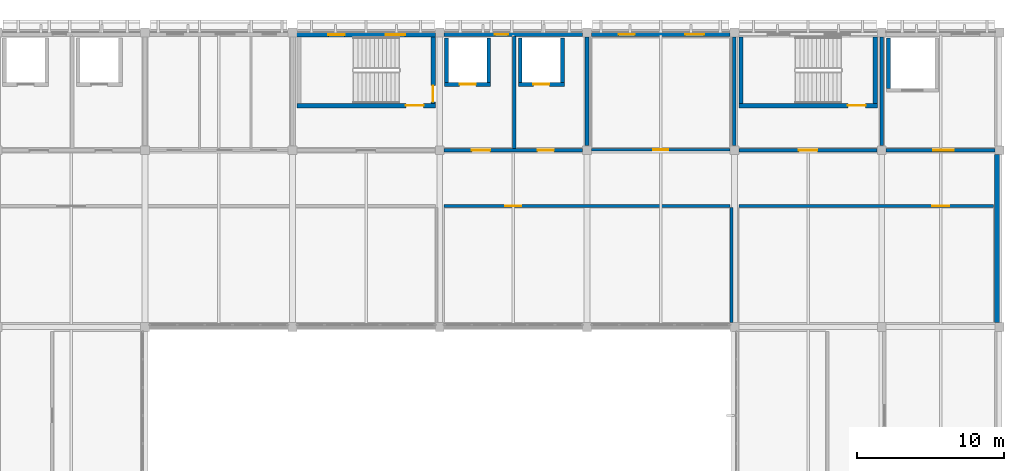
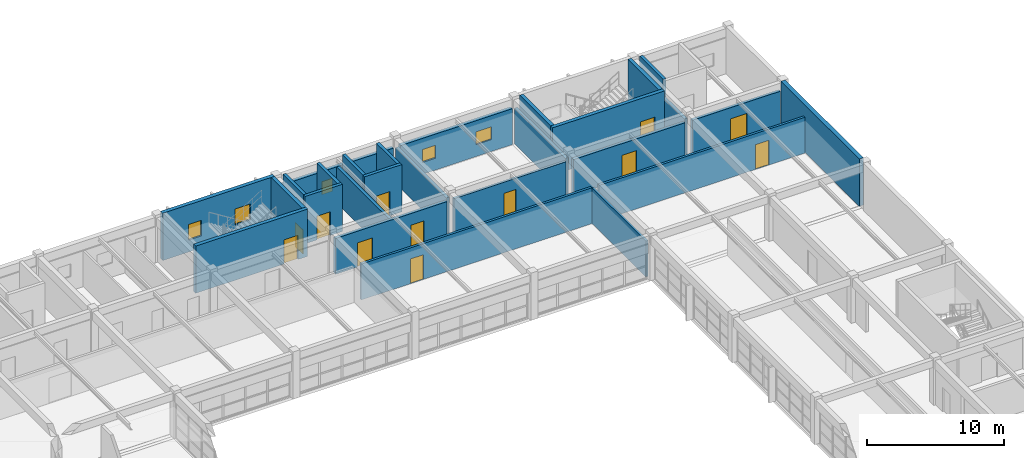
# One storey, part 22 of 28: 27 walls, 12 doors, 5 windows, 17 openings.
"""IFC4 building model written with IfcOpenShell, lengths in metres."""

from ifc_helpers import new_model, si_unit, direction, frame, frame_2d, origin, place, context, subcontext, project, spatial, rectangle, extrude, material, layer, layer_set, type_object, element, fill, save


model = new_model("IFC4")

# Units and contexts
model_context = context("Model", 3, precision=1e-05, world=origin(), true_north=direction((0.0, 1.0)))
body_context = subcontext(model_context, "Body", "Model", "MODEL_VIEW")
ifc_project = project(units=[si_unit("LENGTHUNIT", "METRE"), si_unit("AREAUNIT", "SQUARE_METRE"), si_unit("VOLUMEUNIT", "CUBIC_METRE"), si_unit("PLANEANGLEUNIT", "RADIAN"), si_unit("MASSUNIT", "GRAM", prefix="KILO")], contexts=[model_context])

# Site, building, storey
site_placement = place(None, origin())
site = spatial("IfcSite", under=ifc_project, at=site_placement, CompositionType="ELEMENT")
building_placement = place(site_placement, origin())
building = spatial("IfcBuilding", under=site, at=building_placement, Name="Kivolera Central Railway Station", CompositionType="ELEMENT")
storey_placement = place(building_placement, frame((0.0, 0.0, 18.60009765625)))
storey = spatial("IfcBuildingStorey", under=building, at=storey_placement, Name="L04", CompositionType="ELEMENT", Elevation=18.60009765625)

# Wall, opening, door
ifc_material_1 = material(Name="Swahili coral limestone", Category="masonry")
ifc_layer_1 = layer(ifc_material_1, 0.199951171875, Name="Swahili coral limestone")
ifc_layer_set_1 = layer_set([ifc_layer_1], Name="Swahili coral limestone")
wall_type_1 = type_object("IfcWallType", Name="WL-COR-200", PredefinedType="PARTITIONING", material=ifc_layer_set_1)
wall_1_placement = place(storey_placement, frame((168.300048828125, 126.030029296875, 0.0), z_axis=(0.0, 0.0, 1.0), x_axis=(1.0, 0.0, 0.0)))
wall_1 = element("IfcWall", 1, at=wall_1_placement, inside=storey, type_object=wall_type_1, Name="L04 Emergency Incident Command Office Corridor Wall", PredefinedType="PARTITIONING", context=body_context, shape_type="SweptSolid", body=[
    extrude(rectangle(XDim=9.39990234375, YDim=0.199951171875, at=frame_2d((4.699951171875, 0.0))), origin(), (0.0, 0.0, 1.0), 3.18798828125),
])
opening_1_placement = place(wall_1_placement, frame((4.199951171875, 0.0, 0.0)))
opening_1 = element("IfcOpeningElement", 2, at=opening_1_placement, cuts=wall_1, Name="Opening D-SG-09", PredefinedType="OPENING", context=body_context, shape_type="SweptSolid", body=[
    extrude(rectangle(XDim=1.0, YDim=2.199951171875, at=frame_2d((0.5, 1.10009765625))), frame((0.0, 0.10986328125, 0.0), z_axis=(0.0, -1.0, 0.0), x_axis=(1.0, 0.0, 0.0)), (0.0, 0.0, 1.0), 0.219970703125),
])
ifc_material_2 = material(Name="Hardwood mvule timber", Category="wood")
door_type_1 = type_object("IfcDoorType", Name="DR-D-SG-09", OperationType="NOTDEFINED", PredefinedType="DOOR", material=ifc_material_2)
door_1_placement = place(opening_1_placement, origin())
door_1 = element("IfcDoor", 3, at=door_1_placement, inside=storey, type_object=door_type_1, Name="L04 Emergency Incident Command Office Door", OperationType="SINGLE_SWING_RIGHT", OverallHeight=2.199951171875, OverallWidth=1.0, PredefinedType="DOOR", context=body_context, shape_type="SweptSolid", body=[
    extrude(rectangle(XDim=1.0, YDim=2.199951171875, at=frame_2d((0.5, 1.10009765625))), frame((0.0, 0.02490234375, 0.0), z_axis=(0.0, -1.0, 0.0), x_axis=(1.0, 0.0, 0.0)), (0.0, 0.0, 1.0), 0.050048828125),
])
fill(opening_1, door_1)

wall_2_placement = place(storey_placement, frame((158.300048828125, 122.219970703125, 0.0), z_axis=(0.0, 0.0, 1.0), x_axis=(1.0, 0.0, 0.0)))
wall_2 = element("IfcWall", 4, at=wall_2_placement, inside=storey, type_object=wall_type_1, Name="L04 Traction Power SCADA Control Office Corridor Wall", PredefinedType="PARTITIONING", context=body_context, shape_type="SweptSolid", body=[
    extrude(rectangle(XDim=19.39990234375, YDim=0.199951171875, at=frame_2d((9.699951171875, 0.0))), origin(), (0.0, 0.0, 1.0), 3.18798828125),
])
opening_2_placement = place(wall_2_placement, frame((4.14990234375, 0.0, 0.0)))
opening_2 = element("IfcOpeningElement", 5, at=opening_2_placement, cuts=wall_2, Name="Opening D-SG-11", PredefinedType="OPENING", context=body_context, shape_type="SweptSolid", body=[
    extrude(rectangle(XDim=1.10009765625, YDim=2.199951171875, at=frame_2d((0.550048828125, 1.10009765625))), frame((0.0, 0.10986328125, 0.0), z_axis=(0.0, -1.0, 0.0), x_axis=(1.0, 0.0, 0.0)), (0.0, 0.0, 1.0), 0.219970703125),
])
door_type_2 = type_object("IfcDoorType", Name="DR-D-SG-11", OperationType="NOTDEFINED", PredefinedType="DOOR", material=ifc_material_2)
door_2_placement = place(opening_2_placement, origin())
door_2 = element("IfcDoor", 6, at=door_2_placement, inside=storey, type_object=door_type_2, Name="L04 Traction Power SCADA Control Office Door", OperationType="SINGLE_SWING_LEFT", OverallHeight=2.199951171875, OverallWidth=1.10009765625, PredefinedType="DOOR", context=body_context, shape_type="SweptSolid", body=[
    extrude(rectangle(XDim=1.10009765625, YDim=2.199951171875, at=frame_2d((0.550048828125, 1.10009765625))), frame((0.0, 0.02490234375, 0.0), z_axis=(0.0, -1.0, 0.0), x_axis=(1.0, 0.0, 0.0)), (0.0, 0.0, 1.0), 0.050048828125),
])
fill(opening_2, door_2)

wall_3_placement = place(storey_placement, frame((178.300048828125, 122.219970703125, 0.0), z_axis=(0.0, 0.0, 1.0), x_axis=(1.0, 0.0, 0.0)))
wall_3 = element("IfcWall", 7, at=wall_3_placement, inside=storey, type_object=wall_type_1, Name="L04 Rolling Stock Fleet Dispatch Office Corridor Wall", PredefinedType="PARTITIONING", context=body_context, shape_type="SweptSolid", body=[
    extrude(rectangle(XDim=17.300048828125, YDim=0.199951171875, at=frame_2d((8.64990234375, 0.0))), origin(), (0.0, 0.0, 1.0), 3.18798828125),
])
opening_3_placement = place(wall_3_placement, frame((13.125, 0.0, 0.0)))
opening_3 = element("IfcOpeningElement", 8, at=opening_3_placement, cuts=wall_3, Name="Opening D-SG-12", PredefinedType="OPENING", context=body_context, shape_type="SweptSolid", body=[
    extrude(rectangle(XDim=1.14990234375, YDim=2.199951171875, at=frame_2d((0.574951171875, 1.10009765625))), frame((0.0, 0.10986328125, 0.0), z_axis=(0.0, -1.0, 0.0), x_axis=(1.0, 0.0, 0.0)), (0.0, 0.0, 1.0), 0.219970703125),
])
door_type_3 = type_object("IfcDoorType", Name="DR-D-SG-12", OperationType="NOTDEFINED", PredefinedType="DOOR", material=ifc_material_2)
door_3_placement = place(opening_3_placement, origin())
door_3 = element("IfcDoor", 9, at=door_3_placement, inside=storey, type_object=door_type_3, Name="L04 Rolling Stock Fleet Dispatch Office Door", OperationType="SINGLE_SWING_RIGHT", OverallHeight=2.199951171875, OverallWidth=1.14990234375, PredefinedType="DOOR", context=body_context, shape_type="SweptSolid", body=[
    extrude(rectangle(XDim=1.14990234375, YDim=2.199951171875, at=frame_2d((0.574951171875, 1.10009765625))), frame((0.0, 0.02490234375, 0.0), z_axis=(0.0, -1.0, 0.0), x_axis=(1.0, 0.0, 0.0)), (0.0, 0.0, 1.0), 0.050048828125),
])
fill(opening_3, door_3)

ifc_material_3 = material(Name="Concrete C40/50", Category="concrete")
ifc_layer_2 = layer(ifc_material_3, 0.300048828125, Name="Concrete C40/50")
ifc_layer_set_2 = layer_set([ifc_layer_2], Name="Concrete C40/50")
wall_type_2 = type_object("IfcWallType", Name="WL-CORE-300", PredefinedType="SHEAR", material=ifc_layer_set_2)
wall_4_placement = place(storey_placement, frame((157.699951171875, 129.030029296875, 0.0), z_axis=(0.0, 0.0, 1.0), x_axis=(-1.0, 0.0, 0.0)))
wall_4 = element("IfcWall", 10, at=wall_4_placement, inside=storey, type_object=wall_type_2, Name="L04 ST2 Core Right Shear Wall", PredefinedType="SHEAR", context=body_context, shape_type="SweptSolid", body=[
    extrude(rectangle(XDim=9.39990234375, YDim=0.300048828125, at=frame_2d((4.699951171875, 0.0))), origin(), (0.0, 0.0, 1.0), 4.199951171875),
])
opening_4_placement = place(wall_4_placement, frame((0.800048828125, 0.0, 0.0)))
opening_4 = element("IfcOpeningElement", 11, at=opening_4_placement, cuts=wall_4, Name="Opening D-STAIR-1200", PredefinedType="OPENING", context=body_context, shape_type="SweptSolid", body=[
    extrude(rectangle(XDim=1.199951171875, YDim=2.14990234375, at=frame_2d((0.60009765625, 1.074951171875))), frame((0.0, 0.159912109375, 0.0), z_axis=(0.0, -1.0, 0.0), x_axis=(1.0, 0.0, 0.0)), (0.0, 0.0, 1.0), 0.320068359375),
])
door_type_4 = type_object("IfcDoorType", Name="DR-D-STAIR-1200", OperationType="NOTDEFINED", PredefinedType="DOOR", material=ifc_material_2)
door_4_placement = place(opening_4_placement, origin())
door_4 = element("IfcDoor", 12, at=door_4_placement, inside=storey, type_object=door_type_4, Name="L04 ST2 Vestibule Fire Door", OperationType="SINGLE_SWING_LEFT", OverallHeight=2.14990234375, OverallWidth=1.199951171875, PredefinedType="DOOR", context=body_context, shape_type="SweptSolid", body=[
    extrude(rectangle(XDim=1.199951171875, YDim=2.14990234375, at=frame_2d((0.60009765625, 1.074951171875))), frame((0.0, 0.02490234375, 0.0), z_axis=(0.0, -1.0, 0.0), x_axis=(1.0, 0.0, 0.0)), (0.0, 0.0, 1.0), 0.050048828125),
])
fill(opening_4, door_4)

wall_5_placement = place(storey_placement, frame((157.550048828125, 133.679931640625, 0.0), z_axis=(0.0, 0.0, 1.0), x_axis=(0.0, -1.0, 0.0)))
wall_5 = element("IfcWall", 13, at=wall_5_placement, inside=storey, type_object=wall_type_2, Name="L04 ST2 Core Near Shear Wall", PredefinedType="SHEAR", context=body_context, shape_type="SweptSolid", body=[
    extrude(rectangle(XDim=4.5, YDim=0.300048828125, at=frame_2d((2.25, 0.0))), origin(), (0.0, 0.0, 1.0), 4.199951171875),
])
opening_5_placement = place(wall_5_placement, frame((3.300048828125, 0.0, 0.0)))
opening_5 = element("IfcOpeningElement", 14, at=opening_5_placement, cuts=wall_5, Name="Opening D-FFL-1100", PredefinedType="OPENING", context=body_context, shape_type="SweptSolid", body=[
    extrude(rectangle(XDim=1.10009765625, YDim=2.14990234375, at=frame_2d((0.550048828125, 1.074951171875))), frame((0.0, 0.159912109375, 0.0), z_axis=(0.0, -1.0, 0.0), x_axis=(1.0, 0.0, 0.0)), (0.0, 0.0, 1.0), 0.320068359375),
])
door_type_5 = type_object("IfcDoorType", Name="DR-D-FFL-1100", OperationType="NOTDEFINED", PredefinedType="DOOR", material=ifc_material_2)
door_5_placement = place(opening_5_placement, origin())
door_5 = element("IfcDoor", 15, at=door_5_placement, inside=storey, type_object=door_type_5, Name="L04 Firefighting Lobby to ST2 Fire Door", OperationType="SINGLE_SWING_RIGHT", OverallHeight=2.14990234375, OverallWidth=1.10009765625, PredefinedType="DOOR", context=body_context, shape_type="SweptSolid", body=[
    extrude(rectangle(XDim=1.10009765625, YDim=2.14990234375, at=frame_2d((0.550048828125, 1.074951171875))), frame((0.0, 0.02490234375, 0.0), z_axis=(0.0, -1.0, 0.0), x_axis=(1.0, 0.0, 0.0)), (0.0, 0.0, 1.0), 0.050048828125),
])
fill(opening_5, door_5)

wall_6_placement = place(storey_placement, frame((187.699951171875, 129.030029296875, 0.0), z_axis=(0.0, 0.0, 1.0), x_axis=(-1.0, 0.0, 0.0)))
wall_6 = element("IfcWall", 16, at=wall_6_placement, inside=storey, type_object=wall_type_2, Name="L04 ST3 Core Right Shear Wall", PredefinedType="SHEAR", context=body_context, shape_type="SweptSolid", body=[
    extrude(rectangle(XDim=9.39990234375, YDim=0.300048828125, at=frame_2d((4.699951171875, 0.0))), origin(), (0.0, 0.0, 1.0), 4.199951171875),
])
opening_6_placement = place(wall_6_placement, frame((0.800048828125, 0.0, 0.0)))
opening_6 = element("IfcOpeningElement", 17, at=opening_6_placement, cuts=wall_6, Name="Opening D-STAIR-1200", PredefinedType="OPENING", context=body_context, shape_type="SweptSolid", body=[
    extrude(rectangle(XDim=1.199951171875, YDim=2.14990234375, at=frame_2d((0.60009765625, 1.074951171875))), frame((0.0, 0.159912109375, 0.0), z_axis=(0.0, -1.0, 0.0), x_axis=(1.0, 0.0, 0.0)), (0.0, 0.0, 1.0), 0.320068359375),
])
door_6_placement = place(opening_6_placement, origin())
door_6 = element("IfcDoor", 18, at=door_6_placement, inside=storey, type_object=door_type_4, Name="L04 ST3 Vestibule Fire Door", OperationType="SINGLE_SWING_LEFT", OverallHeight=2.14990234375, OverallWidth=1.199951171875, PredefinedType="DOOR", context=body_context, shape_type="SweptSolid", body=[
    extrude(rectangle(XDim=1.199951171875, YDim=2.14990234375, at=frame_2d((0.60009765625, 1.074951171875))), frame((0.0, 0.02490234375, 0.0), z_axis=(0.0, -1.0, 0.0), x_axis=(1.0, 0.0, 0.0)), (0.0, 0.0, 1.0), 0.050048828125),
])
fill(opening_6, door_6)

# Walls
for number, where, z_axis, x_axis, name in (
    (19, (187.550048828125, 133.679931640625, 0.0), (0.0, 0.0, 1.0), (0.0, -1.0, 0.0), "L04 ST3 Core Near Shear Wall"),
    (20, (178.449951171875, 129.179931640625, 0.0), (0.0, 0.0, 1.0), (0.0, 1.0, 0.0), "L04 ST3 Core Far Shear Wall"),
):
    element("IfcWall", number, at=place(storey_placement, frame(where, z_axis=z_axis, x_axis=x_axis)), inside=storey, type_object=wall_type_2, Name=name, PredefinedType="SHEAR", context=body_context, shape_type="SweptSolid", body=[
        extrude(rectangle(XDim=4.5, YDim=0.300048828125, at=frame_2d((2.25, 0.0))), origin(), (0.0, 0.0, 1.0), 4.199951171875),
    ])

# Wall, openings, windows
ifc_layer_3 = layer(ifc_material_3, 0.320068359375, Name="Concrete C40/50")
ifc_layer_set_3 = layer_set([ifc_layer_3], Name="Concrete C40/50")
wall_type_3 = type_object("IfcWallType", Name="WL-CORE-EXT-320", PredefinedType="SHEAR", material=ifc_layer_set_3)
wall_7_placement = place(storey_placement, frame((148.294921875, 133.840087890625, 0.0), z_axis=(0.0, 0.0, 1.0), x_axis=(1.0, 0.0, 0.0)))
wall_7 = element("IfcWall", 21, at=wall_7_placement, inside=storey, type_object=wall_type_3, Name="L04 North Street Facade Wall Bay 4", PredefinedType="SHEAR", context=body_context, shape_type="SweptSolid", body=[
    extrude(rectangle(XDim=9.41015625, YDim=0.320068359375, at=frame_2d((4.705078125, 0.0))), origin(), (0.0, 0.0, 1.0), 4.199951171875),
])
opening_7_placement = place(wall_7_placement, frame((2.155029296875, 0.0, 1.050048828125)))
opening_7 = element("IfcOpeningElement", 22, at=opening_7_placement, cuts=wall_7, Name="Opening WN-14", PredefinedType="OPENING", context=body_context, shape_type="SweptSolid", body=[
    extrude(rectangle(XDim=1.10009765625, YDim=1.39990234375, at=frame_2d((0.550048828125, 0.699951171875))), frame((0.0, 0.169921875, 0.0), z_axis=(0.0, -1.0, 0.0), x_axis=(1.0, 0.0, 0.0)), (0.0, 0.0, 1.0), 0.340087890625),
])
opening_8_placement = place(wall_7_placement, frame((6.054931640625, 0.0, 1.050048828125)))
opening_8 = element("IfcOpeningElement", 23, at=opening_8_placement, cuts=wall_7, Name="Opening WN-15", PredefinedType="OPENING", context=body_context, shape_type="SweptSolid", body=[
    extrude(rectangle(XDim=1.300048828125, YDim=1.39990234375, at=frame_2d((0.64990234375, 0.699951171875))), frame((0.0, 0.169921875, 0.0), z_axis=(0.0, -1.0, 0.0), x_axis=(1.0, 0.0, 0.0)), (0.0, 0.0, 1.0), 0.340087890625),
])
ifc_material_4 = material(Name="Double low-E laminated glass", Category="glass")
window_type_1 = type_object("IfcWindowType", Name="WIN-WN-14", PartitioningType="SINGLE_PANEL", PredefinedType="WINDOW", material=ifc_material_4)
window_1_placement = place(opening_7_placement, origin())
window_1 = element("IfcWindow", 24, at=window_1_placement, inside=storey, type_object=window_type_1, Name="L04 North Street Window Bay 4.1", OverallHeight=1.39990234375, OverallWidth=1.10009765625, PartitioningType="SINGLE_PANEL", PredefinedType="WINDOW", context=body_context, shape_type="SweptSolid", body=[
    extrude(rectangle(XDim=1.10009765625, YDim=1.39990234375, at=frame_2d((0.550048828125, 0.699951171875))), frame((0.0, 0.030029296875, 0.0), z_axis=(0.0, -1.0, 0.0), x_axis=(1.0, 0.0, 0.0)), (0.0, 0.0, 1.0), 0.06005859375),
])
fill(opening_7, window_1)
window_type_2 = type_object("IfcWindowType", Name="WIN-WN-15", PartitioningType="SINGLE_PANEL", PredefinedType="WINDOW", material=ifc_material_4)
window_2_placement = place(opening_8_placement, origin())
window_2 = element("IfcWindow", 25, at=window_2_placement, inside=storey, type_object=window_type_2, Name="L04 North Street Window Bay 4.2", OverallHeight=1.39990234375, OverallWidth=1.300048828125, PartitioningType="SINGLE_PANEL", PredefinedType="WINDOW", context=body_context, shape_type="SweptSolid", body=[
    extrude(rectangle(XDim=1.300048828125, YDim=1.39990234375, at=frame_2d((0.64990234375, 0.699951171875))), frame((0.0, 0.030029296875, 0.0), z_axis=(0.0, -1.0, 0.0), x_axis=(1.0, 0.0, 0.0)), (0.0, 0.0, 1.0), 0.06005859375),
])
fill(opening_8, window_2)

# Wall, opening, window
ifc_layer_4 = layer(ifc_material_1, 0.2900390625, Name="Swahili coral limestone")
ifc_layer_set_4 = layer_set([ifc_layer_4], Name="Swahili coral limestone")
wall_type_4 = type_object("IfcWallType", Name="WL-EXT-CORAL-290", PredefinedType="SOLIDWALL", material=ifc_layer_set_4)
wall_8_placement = place(storey_placement, frame((158.294921875, 133.85498046875, 0.0), z_axis=(0.0, 0.0, 1.0), x_axis=(1.0, 0.0, 0.0)))
wall_8 = element("IfcWall", 26, at=wall_8_placement, inside=storey, type_object=wall_type_4, Name="L04 North Street Facade Wall Bay 5", PredefinedType="SOLIDWALL", context=body_context, shape_type="SweptSolid", body=[
    extrude(rectangle(XDim=9.41015625, YDim=0.2900390625, at=frame_2d((4.705078125, 0.0))), origin(), (0.0, 0.0, 1.0), 3.18798828125),
])
opening_9_placement = place(wall_8_placement, frame((3.455078125, 0.0, 1.050048828125)))
opening_9 = element("IfcOpeningElement", 27, at=opening_9_placement, cuts=wall_8, Name="Opening WN-01", PredefinedType="OPENING", context=body_context, shape_type="SweptSolid", body=[
    extrude(rectangle(XDim=0.89990234375, YDim=1.14990234375, at=frame_2d((0.449951171875, 0.574951171875))), frame((0.0, 0.155029296875, 0.0), z_axis=(0.0, -1.0, 0.0), x_axis=(1.0, 0.0, 0.0)), (0.0, 0.0, 1.0), 0.31005859375),
])
window_type_3 = type_object("IfcWindowType", Name="WIN-WN-01", PartitioningType="SINGLE_PANEL", PredefinedType="WINDOW", material=ifc_material_4)
window_3_placement = place(opening_9_placement, origin())
window_3 = element("IfcWindow", 28, at=window_3_placement, inside=storey, type_object=window_type_3, Name="L04 North Street Window Bay 5.1", OverallHeight=1.14990234375, OverallWidth=0.89990234375, PartitioningType="SINGLE_PANEL", PredefinedType="WINDOW", context=body_context, shape_type="SweptSolid", body=[
    extrude(rectangle(XDim=0.89990234375, YDim=1.14990234375, at=frame_2d((0.449951171875, 0.574951171875))), frame((0.0, 0.030029296875, 0.0), z_axis=(0.0, -1.0, 0.0), x_axis=(1.0, 0.0, 0.0)), (0.0, 0.0, 1.0), 0.06005859375),
])
fill(opening_9, window_3)

# Wall, openings, windows
wall_9_placement = place(storey_placement, frame((168.294921875, 133.85498046875, 0.0), z_axis=(0.0, 0.0, 1.0), x_axis=(1.0, 0.0, 0.0)))
wall_9 = element("IfcWall", 29, at=wall_9_placement, inside=storey, type_object=wall_type_4, Name="L04 North Street Facade Wall Bay 6", PredefinedType="SOLIDWALL", context=body_context, shape_type="SweptSolid", body=[
    extrude(rectangle(XDim=9.41015625, YDim=0.2900390625, at=frame_2d((4.705078125, 0.0))), origin(), (0.0, 0.0, 1.0), 3.18798828125),
])
opening_10_placement = place(wall_9_placement, frame((1.85498046875, 0.0, 1.050048828125)))
opening_10 = element("IfcOpeningElement", 30, at=opening_10_placement, cuts=wall_9, Name="Opening WN-02", PredefinedType="OPENING", context=body_context, shape_type="SweptSolid", body=[
    extrude(rectangle(XDim=1.10009765625, YDim=1.14990234375, at=frame_2d((0.550048828125, 0.574951171875))), frame((0.0, 0.155029296875, 0.0), z_axis=(0.0, -1.0, 0.0), x_axis=(1.0, 0.0, 0.0)), (0.0, 0.0, 1.0), 0.31005859375),
])
opening_11_placement = place(wall_9_placement, frame((6.35498046875, 0.0, 1.050048828125)))
opening_11 = element("IfcOpeningElement", 31, at=opening_11_placement, cuts=wall_9, Name="Opening WN-03", PredefinedType="OPENING", context=body_context, shape_type="SweptSolid", body=[
    extrude(rectangle(XDim=1.300048828125, YDim=1.14990234375, at=frame_2d((0.64990234375, 0.574951171875))), frame((0.0, 0.155029296875, 0.0), z_axis=(0.0, -1.0, 0.0), x_axis=(1.0, 0.0, 0.0)), (0.0, 0.0, 1.0), 0.31005859375),
])
window_type_4 = type_object("IfcWindowType", Name="WIN-WN-02", PartitioningType="SINGLE_PANEL", PredefinedType="WINDOW", material=ifc_material_4)
window_4_placement = place(opening_10_placement, origin())
window_4 = element("IfcWindow", 32, at=window_4_placement, inside=storey, type_object=window_type_4, Name="L04 North Street Window Bay 6.1", OverallHeight=1.14990234375, OverallWidth=1.10009765625, PartitioningType="SINGLE_PANEL", PredefinedType="WINDOW", context=body_context, shape_type="SweptSolid", body=[
    extrude(rectangle(XDim=1.10009765625, YDim=1.14990234375, at=frame_2d((0.550048828125, 0.574951171875))), frame((0.0, 0.030029296875, 0.0), z_axis=(0.0, -1.0, 0.0), x_axis=(1.0, 0.0, 0.0)), (0.0, 0.0, 1.0), 0.06005859375),
])
fill(opening_10, window_4)
window_type_5 = type_object("IfcWindowType", Name="WIN-WN-03", PartitioningType="SINGLE_PANEL", PredefinedType="WINDOW", material=ifc_material_4)
window_5_placement = place(opening_11_placement, origin())
window_5 = element("IfcWindow", 33, at=window_5_placement, inside=storey, type_object=window_type_5, Name="L04 North Street Window Bay 6.2", OverallHeight=1.14990234375, OverallWidth=1.300048828125, PartitioningType="SINGLE_PANEL", PredefinedType="WINDOW", context=body_context, shape_type="SweptSolid", body=[
    extrude(rectangle(XDim=1.300048828125, YDim=1.14990234375, at=frame_2d((0.64990234375, 0.574951171875))), frame((0.0, 0.030029296875, 0.0), z_axis=(0.0, -1.0, 0.0), x_axis=(1.0, 0.0, 0.0)), (0.0, 0.0, 1.0), 0.06005859375),
])
fill(opening_11, window_5)

# Wall, openings, doors
ifc_layer_5 = layer(ifc_material_3, 0.25, Name="Concrete C40/50")
ifc_layer_set_5 = layer_set([ifc_layer_5], Name="Concrete C40/50")
wall_type_5 = type_object("IfcWallType", Name="WL-FFL-250", PredefinedType="PARTITIONING", material=ifc_layer_set_5)
wall_10_placement = place(storey_placement, frame((158.304931640625, 126.0, 0.0), z_axis=(0.0, 0.0, 1.0), x_axis=(1.0, 0.0, 0.0)))
wall_10 = element("IfcWall", 34, at=wall_10_placement, inside=storey, type_object=wall_type_5, Name="L04 North Core Corridor Wall 158", PredefinedType="PARTITIONING", context=body_context, shape_type="SweptSolid", body=[
    extrude(rectangle(XDim=9.39013671875, YDim=0.25, at=frame_2d((4.695068359375, 0.0))), origin(), (0.0, 0.0, 1.0), 3.18798828125),
])
opening_12_placement = place(wall_10_placement, frame((1.8701171875, 0.0, 0.0)))
opening_12 = element("IfcOpeningElement", 35, at=opening_12_placement, cuts=wall_10, Name="Opening D-FFL-1250", PredefinedType="OPENING", context=body_context, shape_type="SweptSolid", body=[
    extrude(rectangle(XDim=1.25, YDim=2.14990234375, at=frame_2d((0.625, 1.074951171875))), frame((0.0, 0.135009765625, 0.0), z_axis=(0.0, -1.0, 0.0), x_axis=(1.0, 0.0, 0.0)), (0.0, 0.0, 1.0), 0.27001953125),
])
opening_13_placement = place(wall_10_placement, frame((6.344970703125, 0.0, 0.0)))
opening_13 = element("IfcOpeningElement", 36, at=opening_13_placement, cuts=wall_10, Name="Opening D-FFL-1100", PredefinedType="OPENING", context=body_context, shape_type="SweptSolid", body=[
    extrude(rectangle(XDim=1.10009765625, YDim=2.14990234375, at=frame_2d((0.550048828125, 1.074951171875))), frame((0.0, 0.135009765625, 0.0), z_axis=(0.0, -1.0, 0.0), x_axis=(1.0, 0.0, 0.0)), (0.0, 0.0, 1.0), 0.27001953125),
])
door_7_placement = place(opening_13_placement, origin())
door_7 = element("IfcDoor", 37, at=door_7_placement, inside=storey, type_object=door_type_5, Name="L04 PL2 Lift Lobby Door", OperationType="SINGLE_SWING_LEFT", OverallHeight=2.14990234375, OverallWidth=1.10009765625, PredefinedType="DOOR", context=body_context, shape_type="SweptSolid", body=[
    extrude(rectangle(XDim=1.10009765625, YDim=2.14990234375, at=frame_2d((0.550048828125, 1.074951171875))), frame((0.0, 0.02490234375, 0.0), z_axis=(0.0, -1.0, 0.0), x_axis=(1.0, 0.0, 0.0)), (0.0, 0.0, 1.0), 0.050048828125),
])
fill(opening_13, door_7)
door_type_6 = type_object("IfcDoorType", Name="DR-D-FFL-1250", OperationType="NOTDEFINED", PredefinedType="DOOR", material=ifc_material_2)
door_8_placement = place(opening_12_placement, origin())
door_8 = element("IfcDoor", 38, at=door_8_placement, inside=storey, type_object=door_type_6, Name="L04 FL2 Firefighting Lobby Corridor Fire Door", OperationType="SINGLE_SWING_RIGHT", OverallHeight=2.14990234375, OverallWidth=1.25, PredefinedType="DOOR", context=body_context, shape_type="SweptSolid", body=[
    extrude(rectangle(XDim=1.25, YDim=2.14990234375, at=frame_2d((0.625, 1.074951171875))), frame((0.0, 0.02490234375, 0.0), z_axis=(0.0, -1.0, 0.0), x_axis=(1.0, 0.0, 0.0)), (0.0, 0.0, 1.0), 0.050048828125),
])
fill(opening_12, door_8)

# Wall, opening, door
wall_11_placement = place(storey_placement, frame((178.304931640625, 126.0, 0.0), z_axis=(0.0, 0.0, 1.0), x_axis=(1.0, 0.0, 0.0)))
wall_11 = element("IfcWall", 39, at=wall_11_placement, inside=storey, type_object=wall_type_5, Name="L04 North Core Corridor Wall 178", PredefinedType="PARTITIONING", context=body_context, shape_type="SweptSolid", body=[
    extrude(rectangle(XDim=9.39013671875, YDim=0.25, at=frame_2d((4.695068359375, 0.0))), origin(), (0.0, 0.0, 1.0), 3.18798828125),
])
opening_14_placement = place(wall_11_placement, frame((4.070068359375, 0.0, 0.0)))
opening_14 = element("IfcOpeningElement", 40, at=opening_14_placement, cuts=wall_11, Name="Opening D-FFL-1250", PredefinedType="OPENING", context=body_context, shape_type="SweptSolid", body=[
    extrude(rectangle(XDim=1.25, YDim=2.14990234375, at=frame_2d((0.625, 1.074951171875))), frame((0.0, 0.135009765625, 0.0), z_axis=(0.0, -1.0, 0.0), x_axis=(1.0, 0.0, 0.0)), (0.0, 0.0, 1.0), 0.27001953125),
])
door_9_placement = place(opening_14_placement, origin())
door_9 = element("IfcDoor", 41, at=door_9_placement, inside=storey, type_object=door_type_6, Name="L04 ST3 Vestibule Corridor Door", OperationType="SINGLE_SWING_RIGHT", OverallHeight=2.14990234375, OverallWidth=1.25, PredefinedType="DOOR", context=body_context, shape_type="SweptSolid", body=[
    extrude(rectangle(XDim=1.25, YDim=2.14990234375, at=frame_2d((0.625, 1.074951171875))), frame((0.0, 0.02490234375, 0.0), z_axis=(0.0, -1.0, 0.0), x_axis=(1.0, 0.0, 0.0)), (0.0, 0.0, 1.0), 0.050048828125),
])
fill(opening_14, door_9)

wall_12_placement = place(storey_placement, frame((188.304931640625, 126.0, 0.0), z_axis=(0.0, 0.0, 1.0), x_axis=(1.0, 0.0, 0.0)))
wall_12 = element("IfcWall", 42, at=wall_12_placement, inside=storey, type_object=wall_type_5, Name="L04 North Core Corridor Wall 188", PredefinedType="PARTITIONING", context=body_context, shape_type="SweptSolid", body=[
    extrude(rectangle(XDim=7.39013671875, YDim=0.25, at=frame_2d((3.695068359375, 0.0))), origin(), (0.0, 0.0, 1.0), 3.18798828125),
])
opening_15_placement = place(wall_12_placement, frame((3.195068359375, 0.0, 0.0)))
opening_15 = element("IfcOpeningElement", 43, at=opening_15_placement, cuts=wall_12, Name="Opening D-PLT-1400", PredefinedType="OPENING", context=body_context, shape_type="SweptSolid", body=[
    extrude(rectangle(XDim=1.39990234375, YDim=2.199951171875, at=frame_2d((0.699951171875, 1.10009765625))), frame((0.0, 0.135009765625, 0.0), z_axis=(0.0, -1.0, 0.0), x_axis=(1.0, 0.0, 0.0)), (0.0, 0.0, 1.0), 0.27001953125),
])
ifc_material_5 = material(Name="Anodised aluminium", Category="aluminium")
door_type_7 = type_object("IfcDoorType", Name="DR-D-PLT-1400", OperationType="NOTDEFINED", PredefinedType="DOOR", material=ifc_material_5)
door_10_placement = place(opening_15_placement, origin())
door_10 = element("IfcDoor", 44, at=door_10_placement, inside=storey, type_object=door_type_7, Name="L04 GL1 Goods Lift Lobby Door", OperationType="SINGLE_SWING_LEFT", OverallHeight=2.199951171875, OverallWidth=1.39990234375, PredefinedType="DOOR", context=body_context, shape_type="SweptSolid", body=[
    extrude(rectangle(XDim=1.39990234375, YDim=2.199951171875, at=frame_2d((0.699951171875, 1.10009765625))), frame((0.0, 0.02490234375, 0.0), z_axis=(0.0, -1.0, 0.0), x_axis=(1.0, 0.0, 0.0)), (0.0, 0.0, 1.0), 0.050048828125),
])
fill(opening_15, door_10)

# Walls
wall_13_placement = place(storey_placement, frame((163.050048828125, 126.125, 0.0), z_axis=(0.0, 0.0, 1.0), x_axis=(0.0, 1.0, 0.0)))
element("IfcWall", 45, at=wall_13_placement, inside=storey, type_object=wall_type_5, Name="L04 North Core Partition FFL2-DIV", PredefinedType="PARTITIONING", context=body_context, shape_type="SweptSolid", body=[
    extrude(rectangle(XDim=7.5849609375, YDim=0.25, at=frame_2d((3.79248046875, 0.0))), origin(), (0.0, 0.0, 1.0), 3.18798828125),
])
for number, where, z_axis, x_axis, name in (
    (46, (168.0, 126.304931640625, 0.0), (0.0, 0.0, 1.0), (0.0, 1.0, 0.0), "L04 North Core Partition GRID-168"),
    (47, (178.0, 126.304931640625, 0.0), (0.0, 0.0, 1.0), (0.0, 1.0, 0.0), "L04 North Core Partition GRID-178"),
    (48, (188.0, 126.304931640625, 0.0), (0.0, 0.0, 1.0), (0.0, 1.0, 0.0), "L04 North Core Partition GRID-188"),
):
    element("IfcWall", number, at=place(storey_placement, frame(where, z_axis=z_axis, x_axis=x_axis)), inside=storey, type_object=wall_type_5, Name=name, PredefinedType="PARTITIONING", context=body_context, shape_type="SweptSolid", body=[
        extrude(rectangle(XDim=7.39013671875, YDim=0.25, at=frame_2d((3.695068359375, 0.0))), origin(), (0.0, 0.0, 1.0), 3.18798828125),
    ])
ifc_layer_6 = layer(ifc_material_3, 0.35009765625, Name="Concrete C40/50")
ifc_layer_set_6 = layer_set([ifc_layer_6], Name="Concrete C40/50")
wall_type_6 = type_object("IfcWallType", Name="WL-PARTY-350", PredefinedType="SOLIDWALL", material=ifc_layer_set_6)
wall_14_placement = place(storey_placement, frame((195.824951171875, 125.705078125, 0.0), z_axis=(0.0, 0.0, 1.0), x_axis=(0.0, -1.0, 0.0)))
element("IfcWall", 49, at=wall_14_placement, inside=storey, type_object=wall_type_6, Name="L04 East Infill EI 120 Party Wall 114-126", PredefinedType="SOLIDWALL", context=body_context, shape_type="SweptSolid", body=[
    extrude(rectangle(XDim=11.41015625, YDim=0.35009765625, at=frame_2d((5.705078125, 0.0))), origin(), (0.0, 0.0, 1.0), 4.199951171875),
])
ifc_material_6 = material(Name="Gypsum plasterboard steel-stud partition")
ifc_layer_7 = layer(ifc_material_6, 0.179931640625, Name="Gypsum plasterboard steel-stud partition")
ifc_layer_set_7 = layer_set([ifc_layer_7], Name="Gypsum plasterboard steel-stud partition")
wall_type_7 = type_object("IfcWallType", Name="WL-PRT-180", PredefinedType="PARTITIONING", material=ifc_layer_set_7)
wall_15_placement = place(storey_placement, frame((177.800048828125, 114.300048828125, 0.0), z_axis=(0.0, 0.0, 1.0), x_axis=(0.0, 1.0, 0.0)))
element("IfcWall", 50, at=wall_15_placement, inside=storey, type_object=wall_type_7, Name="L04 Traction Power SCADA Control Office Partition Wall", PredefinedType="PARTITIONING", context=body_context, shape_type="SweptSolid", body=[
    extrude(rectangle(XDim=7.800048828125, YDim=0.179931640625, at=frame_2d((3.89990234375, 0.0))), origin(), (0.0, 0.0, 1.0), 3.18798828125),
])

# Wall, opening, door
ifc_layer_8 = layer(ifc_material_3, 0.260009765625, Name="Concrete C40/50")
ifc_layer_set_8 = layer_set([ifc_layer_8], Name="Concrete C40/50")
wall_type_8 = type_object("IfcWallType", Name="WL-SHAFT-260", PredefinedType="SHEAR", material=ifc_layer_set_8)
wall_16_placement = place(storey_placement, frame((158.340087890625, 130.469970703125, 0.0), z_axis=(0.0, 0.0, 1.0), x_axis=(1.0, 0.0, 0.0)))
wall_16 = element("IfcWall", 51, at=wall_16_placement, inside=storey, type_object=wall_type_8, Name="L04 Lift FL2 Front Shaft Wall", PredefinedType="SHEAR", context=body_context, shape_type="SweptSolid", body=[
    extrude(rectangle(XDim=3.119873046875, YDim=0.260009765625, at=frame_2d((1.56005859375, 0.0))), origin(), (0.0, 0.0, 1.0), 4.199951171875),
])
opening_16_placement = place(wall_16_placement, frame((1.010009765625, 0.0, 0.0)))
opening_16 = element("IfcOpeningElement", 52, at=opening_16_placement, cuts=wall_16, Name="Opening LD-FFL-1100", PredefinedType="OPENING", context=body_context, shape_type="SweptSolid", body=[
    extrude(rectangle(XDim=1.10009765625, YDim=2.10009765625, at=frame_2d((0.550048828125, 1.050048828125))), frame((0.0, 0.139892578125, 0.0), z_axis=(0.0, -1.0, 0.0), x_axis=(1.0, 0.0, 0.0)), (0.0, 0.0, 1.0), 0.280029296875),
])
door_type_8 = type_object("IfcDoorType", Name="DR-LD-FFL-1100", OperationType="NOTDEFINED", PredefinedType="DOOR", material=ifc_material_5)
door_11_placement = place(opening_16_placement, origin())
door_11 = element("IfcDoor", 53, at=door_11_placement, inside=storey, type_object=door_type_8, Name="L04 Lift FL2 Sliding Landing Door", OperationType="SLIDING_TO_LEFT", OverallHeight=2.10009765625, OverallWidth=1.10009765625, PredefinedType="DOOR", context=body_context, shape_type="SweptSolid", body=[
    extrude(rectangle(XDim=1.10009765625, YDim=2.10009765625, at=frame_2d((0.550048828125, 1.050048828125))), frame((0.0, 0.02490234375, 0.0), z_axis=(0.0, -1.0, 0.0), x_axis=(1.0, 0.0, 0.0)), (0.0, 0.0, 1.0), 0.050048828125),
])
fill(opening_16, door_11)

# Walls
for number, where, z_axis, x_axis, name in (
    (54, (158.469970703125, 130.60009765625, 0.0), (0.0, 0.0, 1.0), (0.0, 1.0, 0.0), "L04 Lift FL2 West Shaft Wall"),
    (55, (161.330078125, 130.60009765625, 0.0), (0.0, 0.0, 1.0), (0.0, 1.0, 0.0), "L04 Lift FL2 East Shaft Wall"),
):
    element("IfcWall", number, at=place(storey_placement, frame(where, z_axis=z_axis, x_axis=x_axis)), inside=storey, type_object=wall_type_8, Name=name, PredefinedType="SHEAR", context=body_context, shape_type="SweptSolid", body=[
        extrude(rectangle(XDim=3.0, YDim=0.260009765625, at=frame_2d((1.5, 0.0))), origin(), (0.0, 0.0, 1.0), 4.199951171875),
    ])

# Wall, opening, door
wall_17_placement = place(storey_placement, frame((163.340087890625, 130.469970703125, 0.0), z_axis=(0.0, 0.0, 1.0), x_axis=(1.0, 0.0, 0.0)))
wall_17 = element("IfcWall", 56, at=wall_17_placement, inside=storey, type_object=wall_type_8, Name="L04 Lift PL2 Front Shaft Wall", PredefinedType="SHEAR", context=body_context, shape_type="SweptSolid", body=[
    extrude(rectangle(XDim=3.119873046875, YDim=0.260009765625, at=frame_2d((1.56005859375, 0.0))), origin(), (0.0, 0.0, 1.0), 4.199951171875),
])
opening_17_placement = place(wall_17_placement, frame((1.010009765625, 0.0, 0.0)))
opening_17 = element("IfcOpeningElement", 57, at=opening_17_placement, cuts=wall_17, Name="Opening LD-PAX-1100", PredefinedType="OPENING", context=body_context, shape_type="SweptSolid", body=[
    extrude(rectangle(XDim=1.10009765625, YDim=2.14990234375, at=frame_2d((0.550048828125, 1.074951171875))), frame((0.0, 0.139892578125, 0.0), z_axis=(0.0, -1.0, 0.0), x_axis=(1.0, 0.0, 0.0)), (0.0, 0.0, 1.0), 0.280029296875),
])
door_type_9 = type_object("IfcDoorType", Name="DR-LD-PAX-1100", OperationType="NOTDEFINED", PredefinedType="DOOR", material=ifc_material_5)
door_12_placement = place(opening_17_placement, origin())
door_12 = element("IfcDoor", 58, at=door_12_placement, inside=storey, type_object=door_type_9, Name="L04 Lift PL2 Sliding Landing Door", OperationType="SLIDING_TO_LEFT", OverallHeight=2.14990234375, OverallWidth=1.10009765625, PredefinedType="DOOR", context=body_context, shape_type="SweptSolid", body=[
    extrude(rectangle(XDim=1.10009765625, YDim=2.14990234375, at=frame_2d((0.550048828125, 1.074951171875))), frame((0.0, 0.02490234375, 0.0), z_axis=(0.0, -1.0, 0.0), x_axis=(1.0, 0.0, 0.0)), (0.0, 0.0, 1.0), 0.050048828125),
])
fill(opening_17, door_12)

# Walls
for number, where, z_axis, x_axis, name in (
    (59, (163.469970703125, 130.60009765625, 0.0), (0.0, 0.0, 1.0), (0.0, 1.0, 0.0), "L04 Lift PL2 West Shaft Wall"),
    (60, (166.330078125, 130.60009765625, 0.0), (0.0, 0.0, 1.0), (0.0, 1.0, 0.0), "L04 Lift PL2 East Shaft Wall"),
):
    element("IfcWall", number, at=place(storey_placement, frame(where, z_axis=z_axis, x_axis=x_axis)), inside=storey, type_object=wall_type_8, Name=name, PredefinedType="SHEAR", context=body_context, shape_type="SweptSolid", body=[
        extrude(rectangle(XDim=3.0, YDim=0.260009765625, at=frame_2d((1.5, 0.0))), origin(), (0.0, 0.0, 1.0), 4.199951171875),
    ])
wall_18_placement = place(storey_placement, frame((188.469970703125, 130.199951171875, 0.0), z_axis=(0.0, 0.0, 1.0), x_axis=(0.0, 1.0, 0.0)))
element("IfcWall", 61, at=wall_18_placement, inside=storey, type_object=wall_type_8, Name="L04 Lift GL1 West Shaft Wall", PredefinedType="SHEAR", context=body_context, shape_type="SweptSolid", body=[
    extrude(rectangle(XDim=3.400146484375, YDim=0.260009765625, at=frame_2d((1.7001953125, 0.0))), origin(), (0.0, 0.0, 1.0), 4.199951171875),
])

save(model, "model.ifc")
